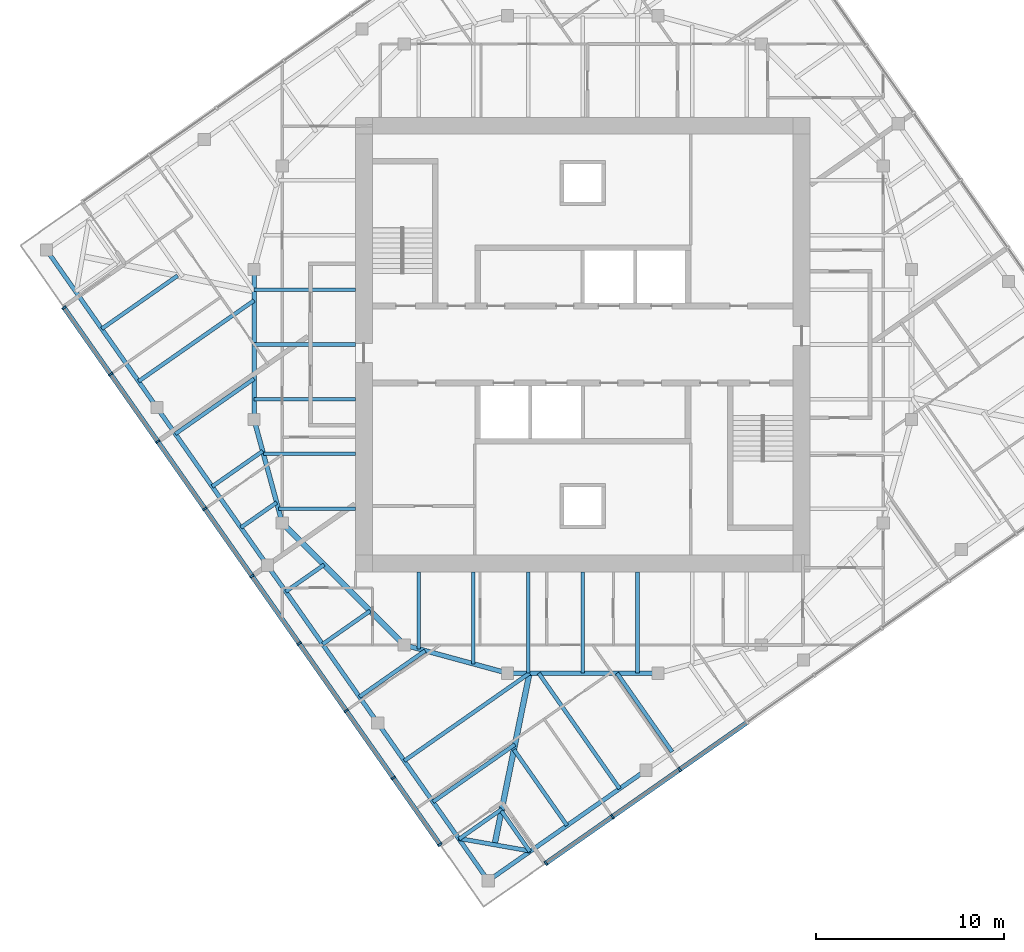
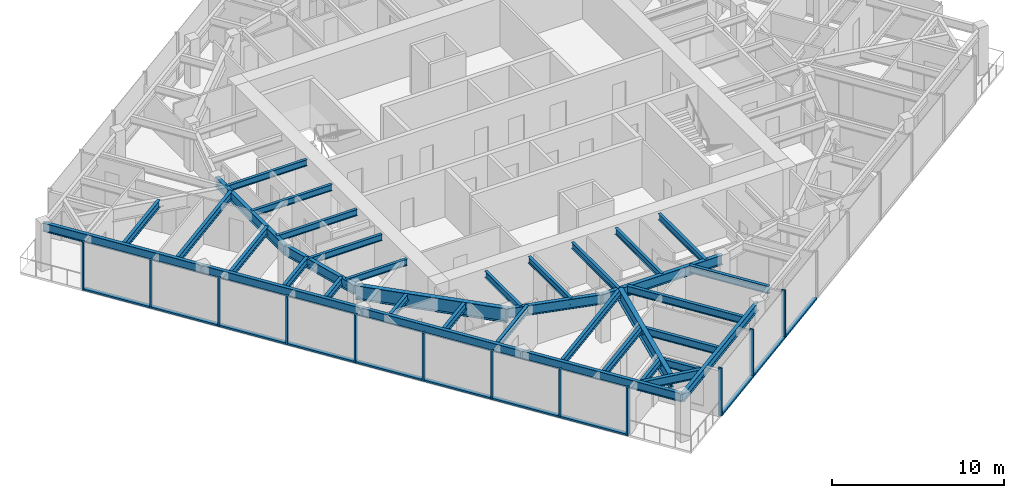
# One storey, part 2 of 12: 37 beams, 23 members, 2 elements without a shape of their own.
"""IFC4 building model written with IfcOpenShell, lengths in metres."""

from ifc_helpers import new_model, si_unit, direction, frame, origin, origin_2d, place, context, subcontext, project, spatial, rectangle, i_section, extrude, material, material_profile, profile_set, type_object, element, aggregate, save


model = new_model("IFC4")

# Units and contexts
model_context = context("Model", 3, precision=1e-05, world=origin(), true_north=direction((0.0, 1.0)))
body_context = subcontext(model_context, "Body", "Model", "MODEL_VIEW")
ifc_project = project(units=[si_unit("LENGTHUNIT", "METRE"), si_unit("AREAUNIT", "SQUARE_METRE"), si_unit("VOLUMEUNIT", "CUBIC_METRE"), si_unit("PLANEANGLEUNIT", "RADIAN"), si_unit("MASSUNIT", "GRAM", prefix="KILO")], contexts=[model_context])

# Site, building, storey
site_placement = place(None, origin())
site = spatial("IfcSite", under=ifc_project, at=site_placement, CompositionType="ELEMENT")
building_placement = place(site_placement, origin())
building = spatial("IfcBuilding", under=site, at=building_placement, Name="Torsade Residences", CompositionType="ELEMENT")
storey_placement = place(building_placement, frame((0.0, 0.0, 254.0)))
storey = spatial("IfcBuildingStorey", under=building, at=storey_placement, Name="L70", CompositionType="ELEMENT", Elevation=254.0)

# Beams
ifc_material_1 = material(Name="Steel grade 300", Category="steel")
ifc_material_profile_1 = material_profile(ifc_material_1, i_section(OverallWidth=0.300048828125, OverallDepth=0.89990234375, WebThickness=0.011962890625, FlangeThickness=0.02490234375, at=origin_2d()), Name="900WB175")
ifc_profile_set_1 = profile_set([ifc_material_profile_1], Name="Steel grade 300")
beam_type_1 = type_object("IfcBeamType", Name="CORNER GIRDER 900WB175", PredefinedType="BEAM", material=ifc_profile_set_1)
beam_1_placement = place(storey_placement, frame((35.303466796875, 3.364013671875, 2.800048828125), z_axis=(0.199584461589, 0.979880626756, 0.0), x_axis=(-0.979880626756, 0.199584461589, 0.0)))
element("IfcBeam", 1, at=beam_1_placement, inside=storey, type_object=beam_type_1, Name="Corner girder 01 L71", PredefinedType="BEAM", context=body_context, shape_type="SweptSolid", body=[
    extrude(i_section(OverallWidth=0.300048828125, OverallDepth=0.89990234375, WebThickness=0.011962890625, FlangeThickness=0.02490234375, at=origin_2d()), origin(), (0.0, 0.0, 1.0), 9.323486328125),
])
ifc_material_2 = material(Name="Steel grade 300", Category="steel")
ifc_material_profile_2 = material_profile(ifc_material_2, i_section(OverallWidth=0.22802734375, OverallDepth=0.60205078125, WebThickness=0.010498046875, FlangeThickness=0.014892578125, FilletRadius=0.013916015625, at=origin_2d()), Name="610UB101")
ifc_profile_set_2 = profile_set([ifc_material_profile_2], Name="Steel grade 300")
beam_type_2 = type_object("IfcBeamType", Name="CORNER TRIMMER 610UB101", PredefinedType="BEAM", material=ifc_profile_set_2)
beam_2_placement = place(storey_placement, frame((37.21826171875, 3.0263671875, 2.948974609375), z_axis=(-0.984808196894, 0.173645660267, 0.0), x_axis=(-0.173645660267, -0.984808196894, 0.0)))
element("IfcBeam", 2, at=beam_2_placement, inside=storey, type_object=beam_type_2, Name="Corner trimmer 01 L71", PredefinedType="BEAM", context=body_context, shape_type="SweptSolid", body=[
    extrude(i_section(OverallWidth=0.22802734375, OverallDepth=0.60205078125, WebThickness=0.010498046875, FlangeThickness=0.014892578125, FilletRadius=0.013916015625, at=origin_2d()), origin(), (0.0, 0.0, 1.0), 3.888916015625),
])
ifc_material_3 = material(Name="Steel grade 300", Category="steel")
ifc_material_profile_3 = material_profile(ifc_material_3, i_section(OverallWidth=0.22900390625, OverallDepth=0.612060546875, WebThickness=0.011962890625, FlangeThickness=0.01953125, FilletRadius=0.013916015625, at=origin_2d()), Name="610UB125")
ifc_profile_set_3 = profile_set([ifc_material_profile_3], Name="Steel grade 300")
beam_type_3 = type_object("IfcBeamType", Name="EDGE BEAM 610UB125", PredefinedType="SPANDREL", material=ifc_profile_set_3)
for number, where, z_axis, x_axis, name in (
    (3, (34.9658203125, 1.448974609375, 2.944091796875), (0.819150225126, 0.573579034377, 0.0), (-0.573579034377, 0.819150225126, 0.0), "Edge beam 01 L71"),
    (4, (11.448974609375, 35.0341796875, 2.944091796875), (0.573579034377, -0.819150225126, 0.0), (0.819150225126, 0.573579034377, 0.0), "Edge beam 13 L71"),
    (5, (17.328125, 26.637939453125, 2.944091796875), (0.573579034377, -0.819150225126, 0.0), (0.819150225126, 0.573579034377, 0.0), "Edge beam 14 L71"),
    (6, (23.207275390625, 18.24169921875, 2.944091796875), (0.573579034377, -0.819150225126, 0.0), (0.819150225126, 0.573579034377, 0.0), "Edge beam 15 L71"),
):
    element("IfcBeam", number, at=place(storey_placement, frame(where, z_axis=z_axis, x_axis=x_axis)), inside=storey, type_object=beam_type_3, Name=name, PredefinedType="SPANDREL", context=body_context, shape_type="SweptSolid", body=[
        extrude(i_section(OverallWidth=0.22900390625, OverallDepth=0.612060546875, WebThickness=0.011962890625, FlangeThickness=0.01953125, FilletRadius=0.013916015625, at=origin_2d()), origin(), (0.0, 0.0, 1.0), 10.25),
    ])
beam_3_placement = place(storey_placement, frame((29.08642578125, 9.845458984375, 2.944091796875), z_axis=(0.573583825578, -0.819146870247, 0.0), x_axis=(0.819146870247, 0.573583825578, 0.0)))
element("IfcBeam", 7, at=beam_3_placement, inside=storey, type_object=beam_type_3, Name="Edge beam 16 L71", PredefinedType="SPANDREL", context=body_context, shape_type="SweptSolid", body=[
    extrude(i_section(OverallWidth=0.22900390625, OverallDepth=0.612060546875, WebThickness=0.011962890625, FlangeThickness=0.01953125, FilletRadius=0.013916015625, at=origin_2d()), origin(), (0.0, 0.0, 1.0), 10.250244140625),
])

# Curtain wall, members
ifc_material_4 = material(Name="Aluminium and glass", Category="aluminium")
curtain_wall_type = type_object("IfcCurtainWallType", Name="FRITTED GLASS CURTAIN WALL HIGH ZONE", PredefinedType="NOTDEFINED", material=ifc_material_4)
curtain_wall_1_placement = place(storey_placement, origin())
curtain_wall_1 = element("IfcCurtainWall", 8, at=curtain_wall_1_placement, inside=storey, type_object=curtain_wall_type, Name="Curtain wall L70 face 1", PredefinedType="NOTDEFINED")
ifc_material_5 = material(Name="Aluminium mullion", Category="aluminium")
ifc_material_profile_4 = material_profile(ifc_material_5, rectangle(XDim=0.25, YDim=0.10009765625, at=origin_2d()), Name="HIGH ZONE CURTAIN WALL MULLION 250x100")
ifc_profile_set_4 = profile_set([ifc_material_profile_4], Name="Aluminium mullion")
member_type_1 = type_object("IfcMemberType", Name="HIGH ZONE CURTAIN WALL MULLION 250x100", PredefinedType="MULLION", material=ifc_profile_set_4)
member_1_placement = place(storey_placement, frame((38.03759765625, 2.37939453125, 0.0), z_axis=(0.0, 0.0, 1.0), x_axis=(-0.573576457682, 0.819152029353, 0.0)))
member_1 = element("IfcMember", 9, at=member_1_placement, type_object=member_type_1, Name="Mullion 1", PredefinedType="MULLION", context=body_context, shape_type="SweptSolid", body=[
    extrude(rectangle(XDim=0.25, YDim=0.10009765625, at=origin_2d()), origin(), (0.0, 0.0, 1.0), 3.39990234375),
])
member_2_placement = place(storey_placement, frame((41.58056640625, 4.860107421875, 0.0), z_axis=(0.0, 0.0, 1.0), x_axis=(-0.573576457682, 0.819152029353, 0.0)))
member_2 = element("IfcMember", 10, at=member_2_placement, type_object=member_type_1, Name="Mullion 2", PredefinedType="MULLION", context=body_context, shape_type="SweptSolid", body=[
    extrude(rectangle(XDim=0.25, YDim=0.10009765625, at=origin_2d()), origin(), (0.0, 0.0, 1.0), 3.39990234375),
])
member_3_placement = place(storey_placement, frame((45.164306640625, 7.369384765625, 0.0), z_axis=(0.0, 0.0, 1.0), x_axis=(-0.573576457682, 0.819152029353, 0.0)))
member_3 = element("IfcMember", 11, at=member_3_placement, type_object=member_type_1, Name="Mullion 3", PredefinedType="MULLION", context=body_context, shape_type="SweptSolid", body=[
    extrude(rectangle(XDim=0.25, YDim=0.10009765625, at=origin_2d()), origin(), (0.0, 0.0, 1.0), 3.39990234375),
])

curtain_wall_2_placement = place(storey_placement, origin())
curtain_wall_2 = element("IfcCurtainWall", 12, at=curtain_wall_2_placement, inside=storey, type_object=curtain_wall_type, Name="Curtain wall L70 face 10", PredefinedType="NOTDEFINED")
member_4_placement = place(storey_placement, frame((12.37939453125, 31.96240234375, 0.0), z_axis=(0.0, 0.0, 1.0), x_axis=(0.819152029353, 0.573576457682, 0.0)))
member_4 = element("IfcMember", 13, at=member_4_placement, type_object=member_type_1, Name="Mullion 1", PredefinedType="MULLION", context=body_context, shape_type="SweptSolid", body=[
    extrude(rectangle(XDim=0.25, YDim=0.10009765625, at=origin_2d()), origin(), (0.0, 0.0, 1.0), 3.39990234375),
])
member_5_placement = place(storey_placement, frame((14.860107421875, 28.41943359375, 0.0), z_axis=(0.0, 0.0, 1.0), x_axis=(0.819152029353, 0.573576457682, 0.0)))
member_5 = element("IfcMember", 14, at=member_5_placement, type_object=member_type_1, Name="Mullion 2", PredefinedType="MULLION", context=body_context, shape_type="SweptSolid", body=[
    extrude(rectangle(XDim=0.25, YDim=0.10009765625, at=origin_2d()), origin(), (0.0, 0.0, 1.0), 3.39990234375),
])
member_6_placement = place(storey_placement, frame((17.369384765625, 24.835693359375, 0.0), z_axis=(0.0, 0.0, 1.0), x_axis=(0.819152029353, 0.573576457682, 0.0)))
member_6 = element("IfcMember", 15, at=member_6_placement, type_object=member_type_1, Name="Mullion 3", PredefinedType="MULLION", context=body_context, shape_type="SweptSolid", body=[
    extrude(rectangle(XDim=0.25, YDim=0.10009765625, at=origin_2d()), origin(), (0.0, 0.0, 1.0), 3.39990234375),
])
member_7_placement = place(storey_placement, frame((19.87890625, 21.251953125, 0.0), z_axis=(0.0, 0.0, 1.0), x_axis=(0.819152029353, 0.573576457682, 0.0)))
member_7 = element("IfcMember", 16, at=member_7_placement, type_object=member_type_1, Name="Mullion 4", PredefinedType="MULLION", context=body_context, shape_type="SweptSolid", body=[
    extrude(rectangle(XDim=0.25, YDim=0.10009765625, at=origin_2d()), origin(), (0.0, 0.0, 1.0), 3.39990234375),
])
member_8_placement = place(storey_placement, frame((22.38818359375, 17.668212890625, 0.0), z_axis=(0.0, 0.0, 1.0), x_axis=(0.819152029353, 0.573576457682, 0.0)))
member_8 = element("IfcMember", 17, at=member_8_placement, type_object=member_type_1, Name="Mullion 5", PredefinedType="MULLION", context=body_context, shape_type="SweptSolid", body=[
    extrude(rectangle(XDim=0.25, YDim=0.10009765625, at=origin_2d()), origin(), (0.0, 0.0, 1.0), 3.39990234375),
])
member_9_placement = place(storey_placement, frame((24.897705078125, 14.084228515625, 0.0), z_axis=(0.0, 0.0, 1.0), x_axis=(0.819152029353, 0.573576457682, 0.0)))
member_9 = element("IfcMember", 18, at=member_9_placement, type_object=member_type_1, Name="Mullion 6", PredefinedType="MULLION", context=body_context, shape_type="SweptSolid", body=[
    extrude(rectangle(XDim=0.25, YDim=0.10009765625, at=origin_2d()), origin(), (0.0, 0.0, 1.0), 3.39990234375),
])
member_10_placement = place(storey_placement, frame((27.406982421875, 10.50048828125, 0.0), z_axis=(0.0, 0.0, 1.0), x_axis=(0.819152029353, 0.573576457682, 0.0)))
member_10 = element("IfcMember", 19, at=member_10_placement, type_object=member_type_1, Name="Mullion 7", PredefinedType="MULLION", context=body_context, shape_type="SweptSolid", body=[
    extrude(rectangle(XDim=0.25, YDim=0.10009765625, at=origin_2d()), origin(), (0.0, 0.0, 1.0), 3.39990234375),
])
member_11_placement = place(storey_placement, frame((29.91650390625, 6.916748046875, 0.0), z_axis=(0.0, 0.0, 1.0), x_axis=(0.819152029353, 0.573576457682, 0.0)))
member_11 = element("IfcMember", 20, at=member_11_placement, type_object=member_type_1, Name="Mullion 8", PredefinedType="MULLION", context=body_context, shape_type="SweptSolid", body=[
    extrude(rectangle(XDim=0.25, YDim=0.10009765625, at=origin_2d()), origin(), (0.0, 0.0, 1.0), 3.39990234375),
])
member_12_placement = place(storey_placement, frame((32.397216796875, 3.3740234375, 0.0), z_axis=(0.0, 0.0, 1.0), x_axis=(0.819152029353, 0.573576457682, 0.0)))
member_12 = element("IfcMember", 21, at=member_12_placement, type_object=member_type_1, Name="Mullion 9", PredefinedType="MULLION", context=body_context, shape_type="SweptSolid", body=[
    extrude(rectangle(XDim=0.25, YDim=0.10009765625, at=origin_2d()), origin(), (0.0, 0.0, 1.0), 3.39990234375),
])

# Member
ifc_material_6 = material(Name="Aluminium transom", Category="aluminium")
ifc_material_profile_5 = material_profile(ifc_material_6, rectangle(XDim=0.25, YDim=0.1201171875, at=origin_2d()), Name="HIGH ZONE CURTAIN WALL TRANSOM 250x120")
ifc_profile_set_5 = profile_set([ifc_material_profile_5], Name="Aluminium transom")
member_type_2 = type_object("IfcMemberType", Name="HIGH ZONE CURTAIN WALL TRANSOM 250x120", PredefinedType="USERDEFINED", material=ifc_profile_set_5)
member_13_placement = place(storey_placement, frame((38.07861328125, 2.407958984375, 0.06005859375), z_axis=(0.819155901234, 0.573570928023, 0.0), x_axis=(-0.573570928023, 0.819155901234, 0.0)))
member_13 = element("IfcMember", 22, at=member_13_placement, type_object=member_type_2, Name="Transom 1.1", ObjectType="TRANSOM", PredefinedType="USERDEFINED", context=body_context, shape_type="SweptSolid", body=[
    extrude(rectangle(XDim=0.25, YDim=0.1201171875, at=origin_2d()), origin(), (0.0, 0.0, 1.0), 4.22509765625),
])

member_14_placement = place(storey_placement, frame((41.62158203125, 4.888671875, 0.06005859375), z_axis=(0.819127269283, 0.573611817101, 0.0), x_axis=(-0.573611817101, 0.819127269283, 0.0)))
member_14 = element("IfcMember", 23, at=member_14_placement, type_object=member_type_2, Name="Transom 2.1", ObjectType="TRANSOM", PredefinedType="USERDEFINED", context=body_context, shape_type="SweptSolid", body=[
    extrude(rectangle(XDim=0.25, YDim=0.1201171875, at=origin_2d()), origin(), (0.0, 0.0, 1.0), 4.27490234375),
])

member_15_placement = place(storey_placement, frame((45.205322265625, 7.398193359375, 0.06005859375), z_axis=(0.819154102984, 0.573573496219, 0.0), x_axis=(-0.573573496219, 0.819154102984, 0.0)))
member_15 = element("IfcMember", 24, at=member_15_placement, type_object=member_type_2, Name="Transom 3.1", ObjectType="TRANSOM", PredefinedType="USERDEFINED", context=body_context, shape_type="SweptSolid", body=[
    extrude(rectangle(XDim=0.25, YDim=0.1201171875, at=origin_2d()), origin(), (0.0, 0.0, 1.0), 4.27490234375),
])

aggregate(curtain_wall_1, [member_1, member_2, member_3, member_13, member_14, member_15])

member_16_placement = place(storey_placement, frame((12.407958984375, 31.92138671875, 0.06005859375), z_axis=(0.573570928023, -0.819155901234, 0.0), x_axis=(0.819155901234, 0.573570928023, 0.0)))
member_16 = element("IfcMember", 25, at=member_16_placement, type_object=member_type_2, Name="Transom 1.1", ObjectType="TRANSOM", PredefinedType="USERDEFINED", context=body_context, shape_type="SweptSolid", body=[
    extrude(rectangle(XDim=0.25, YDim=0.1201171875, at=origin_2d()), origin(), (0.0, 0.0, 1.0), 4.22509765625),
])

member_17_placement = place(storey_placement, frame((14.888671875, 28.37841796875, 0.06005859375), z_axis=(0.573611817101, -0.819127269283, 0.0), x_axis=(0.819127269283, 0.573611817101, 0.0)))
member_17 = element("IfcMember", 26, at=member_17_placement, type_object=member_type_2, Name="Transom 2.1", ObjectType="TRANSOM", PredefinedType="USERDEFINED", context=body_context, shape_type="SweptSolid", body=[
    extrude(rectangle(XDim=0.25, YDim=0.1201171875, at=origin_2d()), origin(), (0.0, 0.0, 1.0), 4.27490234375),
])

member_18_placement = place(storey_placement, frame((17.398193359375, 24.794677734375, 0.06005859375), z_axis=(0.573573496219, -0.819154102984, 0.0), x_axis=(0.819154102984, 0.573573496219, 0.0)))
member_18 = element("IfcMember", 27, at=member_18_placement, type_object=member_type_2, Name="Transom 3.1", ObjectType="TRANSOM", PredefinedType="USERDEFINED", context=body_context, shape_type="SweptSolid", body=[
    extrude(rectangle(XDim=0.25, YDim=0.1201171875, at=origin_2d()), origin(), (0.0, 0.0, 1.0), 4.27490234375),
])

member_19_placement = place(storey_placement, frame((19.907470703125, 21.2109375, 0.06005859375), z_axis=(0.57358498433, -0.819146058863, 0.0), x_axis=(0.819146058863, 0.57358498433, 0.0)))
member_19 = element("IfcMember", 28, at=member_19_placement, type_object=member_type_2, Name="Transom 4.1", ObjectType="TRANSOM", PredefinedType="USERDEFINED", context=body_context, shape_type="SweptSolid", body=[
    extrude(rectangle(XDim=0.25, YDim=0.1201171875, at=origin_2d()), origin(), (0.0, 0.0, 1.0), 4.275146484375),
])

member_20_placement = place(storey_placement, frame((22.4169921875, 17.627197265625, 0.06005859375), z_axis=(0.573546663483, -0.81917289067, 0.0), x_axis=(0.81917289067, 0.573546663483, 0.0)))
member_20 = element("IfcMember", 29, at=member_20_placement, type_object=member_type_2, Name="Transom 5.1", ObjectType="TRANSOM", PredefinedType="USERDEFINED", context=body_context, shape_type="SweptSolid", body=[
    extrude(rectangle(XDim=0.25, YDim=0.1201171875, at=origin_2d()), origin(), (0.0, 0.0, 1.0), 4.27490234375),
])

member_21_placement = place(storey_placement, frame((24.92626953125, 14.04345703125, 0.06005859375), z_axis=(0.57358498433, -0.819146058863, 0.0), x_axis=(0.819146058863, 0.57358498433, 0.0)))
member_21 = element("IfcMember", 30, at=member_21_placement, type_object=member_type_2, Name="Transom 6.1", ObjectType="TRANSOM", PredefinedType="USERDEFINED", context=body_context, shape_type="SweptSolid", body=[
    extrude(rectangle(XDim=0.25, YDim=0.1201171875, at=origin_2d()), origin(), (0.0, 0.0, 1.0), 4.275146484375),
])

member_22_placement = place(storey_placement, frame((27.435791015625, 10.45947265625, 0.06005859375), z_axis=(0.573573496219, -0.819154102984, 0.0), x_axis=(0.819154102984, 0.573573496219, 0.0)))
member_22 = element("IfcMember", 31, at=member_22_placement, type_object=member_type_2, Name="Transom 7.1", ObjectType="TRANSOM", PredefinedType="USERDEFINED", context=body_context, shape_type="SweptSolid", body=[
    extrude(rectangle(XDim=0.25, YDim=0.1201171875, at=origin_2d()), origin(), (0.0, 0.0, 1.0), 4.27490234375),
])

member_23_placement = place(storey_placement, frame((29.945068359375, 6.875732421875, 0.06005859375), z_axis=(0.573570928023, -0.819155901234, 0.0), x_axis=(0.819155901234, 0.573570928023, 0.0)))
member_23 = element("IfcMember", 32, at=member_23_placement, type_object=member_type_2, Name="Transom 8.1", ObjectType="TRANSOM", PredefinedType="USERDEFINED", context=body_context, shape_type="SweptSolid", body=[
    extrude(rectangle(XDim=0.25, YDim=0.1201171875, at=origin_2d()), origin(), (0.0, 0.0, 1.0), 4.22509765625),
])

aggregate(curtain_wall_2, [member_4, member_5, member_6, member_7, member_8, member_9, member_10, member_11, member_12, member_16, member_17, member_18, member_19, member_20, member_21, member_22, member_23])

# Beams
ifc_material_7 = material(Name="Steel grade 300", Category="steel")
ifc_material_profile_6 = material_profile(ifc_material_7, i_section(OverallWidth=0.18994140625, OverallDepth=0.4541015625, WebThickness=0.008544921875, FlangeThickness=0.0126953125, FilletRadius=0.011474609375, at=origin_2d()), Name="460UB67.1")
ifc_profile_set_6 = profile_set([ifc_material_profile_6], Name="Steel grade 300")
beam_type_4 = type_object("IfcBeamType", Name="INNER FLOOR BEAM 460UB67.1", PredefinedType="JOIST", material=ifc_profile_set_6)
for number, where, z_axis, x_axis, name in (
    (33, (42.91259765625, 17.89990234375, 3.02294921875), (0.0, -1.0, 0.0), (1.0, 0.0, 0.0), "Inner floor beam IS03 L71"),
    (34, (40.0, 17.89990234375, 3.02294921875), (0.0, -1.0, 0.0), (1.0, 0.0, 0.0), "Inner floor beam IS04 L71"),
    (35, (37.08740234375, 17.89990234375, 3.02294921875), (0.0, -1.0, 0.0), (1.0, 0.0, 0.0), "Inner floor beam IS05 L71"),
):
    element("IfcBeam", number, at=place(storey_placement, frame(where, z_axis=z_axis, x_axis=x_axis)), inside=storey, type_object=beam_type_4, Name=name, PredefinedType="JOIST", context=body_context, shape_type="SweptSolid", body=[
        extrude(i_section(OverallWidth=0.18994140625, OverallDepth=0.4541015625, WebThickness=0.008544921875, FlangeThickness=0.0126953125, FilletRadius=0.011474609375, at=origin_2d()), origin(), (0.0, 0.0, 1.0), 5.39990234375),
    ])
beam_4_placement = place(storey_placement, frame((34.175048828125, 17.89990234375, 3.02294921875), z_axis=(0.0, -1.0, 0.0), x_axis=(1.0, 0.0, 0.0)))
element("IfcBeam", 36, at=beam_4_placement, inside=storey, type_object=beam_type_4, Name="Inner floor beam IS06 L71", PredefinedType="JOIST", context=body_context, shape_type="SweptSolid", body=[
    extrude(i_section(OverallWidth=0.18994140625, OverallDepth=0.4541015625, WebThickness=0.008544921875, FlangeThickness=0.0126953125, FilletRadius=0.011474609375, at=origin_2d()), origin(), (0.0, 0.0, 1.0), 4.902099609375),
])
beam_5_placement = place(storey_placement, frame((31.262451171875, 17.89990234375, 3.02294921875), z_axis=(0.0, -1.0, 0.0), x_axis=(1.0, 0.0, 0.0)))
element("IfcBeam", 37, at=beam_5_placement, inside=storey, type_object=beam_type_4, Name="Inner floor beam IS07 L71", PredefinedType="JOIST", context=body_context, shape_type="SweptSolid", body=[
    extrude(i_section(OverallWidth=0.18994140625, OverallDepth=0.4541015625, WebThickness=0.008544921875, FlangeThickness=0.0126953125, FilletRadius=0.011474609375, at=origin_2d()), origin(), (0.0, 0.0, 1.0), 4.10791015625),
])
for number, where, z_axis, x_axis, name in (
    (38, (27.89990234375, 32.91259765625, 3.02294921875), (-1.0, 0.0, 0.0), (0.0, -1.0, 0.0), "Inner floor beam IW03 L71"),
    (39, (27.89990234375, 30.0, 3.02294921875), (-1.0, 0.0, 0.0), (0.0, -1.0, 0.0), "Inner floor beam IW04 L71"),
    (40, (27.89990234375, 27.08740234375, 3.02294921875), (-1.0, 0.0, 0.0), (0.0, -1.0, 0.0), "Inner floor beam IW05 L71"),
):
    element("IfcBeam", number, at=place(storey_placement, frame(where, z_axis=z_axis, x_axis=x_axis)), inside=storey, type_object=beam_type_4, Name=name, PredefinedType="JOIST", context=body_context, shape_type="SweptSolid", body=[
        extrude(i_section(OverallWidth=0.18994140625, OverallDepth=0.4541015625, WebThickness=0.008544921875, FlangeThickness=0.0126953125, FilletRadius=0.011474609375, at=origin_2d()), origin(), (0.0, 0.0, 1.0), 5.39990234375),
    ])
beam_6_placement = place(storey_placement, frame((27.89990234375, 24.175048828125, 3.02294921875), z_axis=(-1.0, 0.0, 0.0), x_axis=(0.0, -1.0, 0.0)))
element("IfcBeam", 41, at=beam_6_placement, inside=storey, type_object=beam_type_4, Name="Inner floor beam IW06 L71", PredefinedType="JOIST", context=body_context, shape_type="SweptSolid", body=[
    extrude(i_section(OverallWidth=0.18994140625, OverallDepth=0.4541015625, WebThickness=0.008544921875, FlangeThickness=0.0126953125, FilletRadius=0.011474609375, at=origin_2d()), origin(), (0.0, 0.0, 1.0), 4.902099609375),
])
beam_7_placement = place(storey_placement, frame((27.89990234375, 21.262451171875, 3.02294921875), z_axis=(-1.0, 0.0, 0.0), x_axis=(0.0, -1.0, 0.0)))
element("IfcBeam", 42, at=beam_7_placement, inside=storey, type_object=beam_type_4, Name="Inner floor beam IW07 L71", PredefinedType="JOIST", context=body_context, shape_type="SweptSolid", body=[
    extrude(i_section(OverallWidth=0.18994140625, OverallDepth=0.4541015625, WebThickness=0.008544921875, FlangeThickness=0.0126953125, FilletRadius=0.011474609375, at=origin_2d()), origin(), (0.0, 0.0, 1.0), 4.10791015625),
])
ifc_material_8 = material(Name="Steel grade 300", Category="steel")
ifc_material_profile_7 = material_profile(ifc_material_8, i_section(OverallWidth=0.300048828125, OverallDepth=1.0, WebThickness=0.01611328125, FlangeThickness=0.028076171875, at=origin_2d()), Name="1000WB215")
ifc_profile_set_7 = profile_set([ifc_material_profile_7], Name="Steel grade 300")
beam_type_5 = type_object("IfcBeamType", Name="RING CORNER GIRDER 1000WB215", PredefinedType="BEAM", material=ifc_profile_set_7)
beam_8_placement = place(storey_placement, frame((24.0, 20.5, 2.75), z_axis=(0.707106781187, -0.707106781187, 0.0), x_axis=(0.707106781187, 0.707106781187, 0.0)))
element("IfcBeam", 43, at=beam_8_placement, inside=storey, type_object=beam_type_5, Name="Ring girder IR11 L71", PredefinedType="BEAM", context=body_context, shape_type="SweptSolid", body=[
    extrude(i_section(OverallWidth=0.300048828125, OverallDepth=1.0, WebThickness=0.01611328125, FlangeThickness=0.028076171875, at=origin_2d()), origin(), (0.0, 0.0, 1.0), 9.1923828125),
])
ifc_material_9 = material(Name="Steel grade 300", Category="steel")
ifc_material_profile_8 = material_profile(ifc_material_9, i_section(OverallWidth=0.25, OverallDepth=0.699951171875, WebThickness=0.010009765625, FlangeThickness=0.02001953125, at=origin_2d()), Name="700WB130")
ifc_profile_set_8 = profile_set([ifc_material_profile_8], Name="Steel grade 300")
beam_type_6 = type_object("IfcBeamType", Name="RING GIRDER 700WB130", PredefinedType="BEAM", material=ifc_profile_set_8)
beam_9_placement = place(storey_placement, frame((22.5, 34.0, 2.89990234375), z_axis=(0.0, -1.0, 0.0), x_axis=(1.0, 0.0, 0.0)))
element("IfcBeam", 44, at=beam_9_placement, inside=storey, type_object=beam_type_6, Name="Ring girder IR09 L71", PredefinedType="BEAM", context=body_context, shape_type="SweptSolid", body=[
    extrude(i_section(OverallWidth=0.25, OverallDepth=0.699951171875, WebThickness=0.010009765625, FlangeThickness=0.02001953125, at=origin_2d()), origin(), (0.0, 0.0, 1.0), 8.0),
])
for number, where, z_axis, x_axis, name in (
    (45, (22.5, 26.0, 2.89990234375), (0.263117405792, -0.964763821238, 0.0), (0.964763821238, 0.263117405792, 0.0), "Ring girder IR10 L71"),
    (46, (30.5, 14.0, 2.89990234375), (0.964763821238, -0.263117405792, 0.0), (0.263117405792, 0.964763821238, 0.0), "Ring girder IR12 L71"),
):
    element("IfcBeam", number, at=place(storey_placement, frame(where, z_axis=z_axis, x_axis=x_axis)), inside=storey, type_object=beam_type_6, Name=name, PredefinedType="BEAM", context=body_context, shape_type="SweptSolid", body=[
        extrude(i_section(OverallWidth=0.25, OverallDepth=0.699951171875, WebThickness=0.010009765625, FlangeThickness=0.02001953125, at=origin_2d()), origin(), (0.0, 0.0, 1.0), 5.700927734375),
    ])
beam_10_placement = place(storey_placement, frame((36.0, 12.5, 2.89990234375), z_axis=(1.0, 0.0, 0.0), x_axis=(0.0, 1.0, 0.0)))
element("IfcBeam", 47, at=beam_10_placement, inside=storey, type_object=beam_type_6, Name="Ring girder IR13 L71", PredefinedType="BEAM", context=body_context, shape_type="SweptSolid", body=[
    extrude(i_section(OverallWidth=0.25, OverallDepth=0.699951171875, WebThickness=0.010009765625, FlangeThickness=0.02001953125, at=origin_2d()), origin(), (0.0, 0.0, 1.0), 8.0),
])
ifc_material_10 = material(Name="Steel grade 300", Category="steel")
ifc_material_profile_9 = material_profile(ifc_material_10, i_section(OverallWidth=0.208984375, OverallDepth=0.532958984375, WebThickness=0.01025390625, FlangeThickness=0.015625, FilletRadius=0.013916015625, at=origin_2d()), Name="530UB92.4")
ifc_profile_set_9 = profile_set([ifc_material_profile_9], Name="Steel grade 300")
beam_type_7 = type_object("IfcBeamType", Name="SECONDARY BEAM 530UB92.4", PredefinedType="JOIST", material=ifc_profile_set_9)
beam_11_placement = place(storey_placement, frame((37.184326171875, 3.00244140625, 2.9833984375), z_axis=(-0.573592685254, 0.819140666445, 0.0), x_axis=(-0.819140666445, -0.573592685254, 0.0)))
element("IfcBeam", 48, at=beam_11_placement, inside=storey, type_object=beam_type_7, Name="Floor beam FS01 L71", PredefinedType="JOIST", context=body_context, shape_type="SweptSolid", body=[
    extrude(i_section(OverallWidth=0.208984375, OverallDepth=0.532958984375, WebThickness=0.01025390625, FlangeThickness=0.015625, FilletRadius=0.013916015625, at=origin_2d()), origin(), (0.0, 0.0, 1.0), 2.639892578125),
])
beam_12_placement = place(storey_placement, frame((39.163818359375, 4.388671875, 2.9833984375), z_axis=(-0.573575295634, 0.819152843027, 0.0), x_axis=(-0.819152843027, -0.573575295634, 0.0)))
element("IfcBeam", 49, at=beam_12_placement, inside=storey, type_object=beam_type_7, Name="Floor beam FS02 L71", PredefinedType="JOIST", context=body_context, shape_type="SweptSolid", body=[
    extrude(i_section(OverallWidth=0.208984375, OverallDepth=0.532958984375, WebThickness=0.01025390625, FlangeThickness=0.015625, FilletRadius=0.013916015625, at=origin_2d()), origin(), (0.0, 0.0, 1.0), 4.931884765625),
])
beam_13_placement = place(storey_placement, frame((41.962646484375, 6.348388671875, 2.9833984375), z_axis=(-0.573573614851, 0.819154019917, 0.0), x_axis=(-0.819154019917, -0.573573614851, 0.0)))
element("IfcBeam", 50, at=beam_13_placement, inside=storey, type_object=beam_type_7, Name="Floor beam FS03 L71", PredefinedType="JOIST", context=body_context, shape_type="SweptSolid", body=[
    extrude(i_section(OverallWidth=0.208984375, OverallDepth=0.532958984375, WebThickness=0.01025390625, FlangeThickness=0.015625, FilletRadius=0.013916015625, at=origin_2d()), origin(), (0.0, 0.0, 1.0), 7.509765625),
])
beam_14_placement = place(storey_placement, frame((44.761474609375, 8.30810546875, 2.9833984375), z_axis=(-0.573590411882, 0.819142258339, 0.0), x_axis=(-0.819142258339, -0.573590411882, 0.0)))
element("IfcBeam", 51, at=beam_14_placement, inside=storey, type_object=beam_type_7, Name="Floor beam FS04 L71", PredefinedType="JOIST", context=body_context, shape_type="SweptSolid", body=[
    extrude(i_section(OverallWidth=0.208984375, OverallDepth=0.532958984375, WebThickness=0.01025390625, FlangeThickness=0.015625, FilletRadius=0.013916015625, at=origin_2d()), origin(), (0.0, 0.0, 1.0), 5.117431640625),
])
beam_15_placement = place(storey_placement, frame((14.388671875, 30.836181640625, 2.9833984375), z_axis=(0.819152843027, 0.573575295634, 0.0), x_axis=(-0.573575295634, 0.819152843027, 0.0)))
element("IfcBeam", 52, at=beam_15_placement, inside=storey, type_object=beam_type_7, Name="Floor beam FW02 L71", PredefinedType="JOIST", context=body_context, shape_type="SweptSolid", body=[
    extrude(i_section(OverallWidth=0.208984375, OverallDepth=0.532958984375, WebThickness=0.01025390625, FlangeThickness=0.015625, FilletRadius=0.013916015625, at=origin_2d()), origin(), (0.0, 0.0, 1.0), 4.931884765625),
])
beam_16_placement = place(storey_placement, frame((16.348388671875, 28.037353515625, 2.9833984375), z_axis=(0.819154019917, 0.573573614851, 0.0), x_axis=(-0.573573614851, 0.819154019917, 0.0)))
element("IfcBeam", 53, at=beam_16_placement, inside=storey, type_object=beam_type_7, Name="Floor beam FW03 L71", PredefinedType="JOIST", context=body_context, shape_type="SweptSolid", body=[
    extrude(i_section(OverallWidth=0.208984375, OverallDepth=0.532958984375, WebThickness=0.01025390625, FlangeThickness=0.015625, FilletRadius=0.013916015625, at=origin_2d()), origin(), (0.0, 0.0, 1.0), 7.509765625),
])
beam_17_placement = place(storey_placement, frame((18.30810546875, 25.238525390625, 2.9833984375), z_axis=(0.819142258339, 0.573590411882, 0.0), x_axis=(-0.573590411882, 0.819142258339, 0.0)))
element("IfcBeam", 54, at=beam_17_placement, inside=storey, type_object=beam_type_7, Name="Floor beam FW04 L71", PredefinedType="JOIST", context=body_context, shape_type="SweptSolid", body=[
    extrude(i_section(OverallWidth=0.208984375, OverallDepth=0.532958984375, WebThickness=0.01025390625, FlangeThickness=0.015625, FilletRadius=0.013916015625, at=origin_2d()), origin(), (0.0, 0.0, 1.0), 5.117431640625),
])
beam_18_placement = place(storey_placement, frame((20.267822265625, 22.43994140625, 2.9833984375), z_axis=(0.819169032504, 0.573552173902, 0.0), x_axis=(-0.573552173902, 0.819169032504, 0.0)))
element("IfcBeam", 55, at=beam_18_placement, inside=storey, type_object=beam_type_7, Name="Floor beam FW05 L71", PredefinedType="JOIST", context=body_context, shape_type="SweptSolid", body=[
    extrude(i_section(OverallWidth=0.208984375, OverallDepth=0.532958984375, WebThickness=0.01025390625, FlangeThickness=0.015625, FilletRadius=0.013916015625, at=origin_2d()), origin(), (0.0, 0.0, 1.0), 3.283203125),
])
beam_19_placement = place(storey_placement, frame((21.79736328125, 20.25537109375, 2.9833984375), z_axis=(0.819157953557, 0.573567996949, 0.0), x_axis=(-0.573567996949, 0.819157953557, 0.0)))
element("IfcBeam", 56, at=beam_19_placement, inside=storey, type_object=beam_type_7, Name="Floor beam FW06 L71", PredefinedType="JOIST", context=body_context, shape_type="SweptSolid", body=[
    extrude(i_section(OverallWidth=0.208984375, OverallDepth=0.532958984375, WebThickness=0.01025390625, FlangeThickness=0.015625, FilletRadius=0.013916015625, at=origin_2d()), origin(), (0.0, 0.0, 1.0), 2.326171875),
])
beam_20_placement = place(storey_placement, frame((24.187255859375, 16.84228515625, 2.9833984375), z_axis=(0.819172078752, 0.573547823109, 0.0), x_axis=(-0.573547823109, 0.819172078752, 0.0)))
element("IfcBeam", 57, at=beam_20_placement, inside=storey, type_object=beam_type_7, Name="Floor beam FW07 L71", PredefinedType="JOIST", context=body_context, shape_type="SweptSolid", body=[
    extrude(i_section(OverallWidth=0.208984375, OverallDepth=0.532958984375, WebThickness=0.01025390625, FlangeThickness=0.015625, FilletRadius=0.013916015625, at=origin_2d()), origin(), (0.0, 0.0, 1.0), 2.491943359375),
])
beam_21_placement = place(storey_placement, frame((26.14697265625, 14.04345703125, 2.9833984375), z_axis=(0.819135534955, 0.573600013401, 0.0), x_axis=(-0.573600013401, 0.819135534955, 0.0)))
element("IfcBeam", 58, at=beam_21_placement, inside=storey, type_object=beam_type_7, Name="Floor beam FW08 L71", PredefinedType="JOIST", context=body_context, shape_type="SweptSolid", body=[
    extrude(i_section(OverallWidth=0.208984375, OverallDepth=0.532958984375, WebThickness=0.01025390625, FlangeThickness=0.015625, FilletRadius=0.013916015625, at=origin_2d()), origin(), (0.0, 0.0, 1.0), 3.09423828125),
])
beam_22_placement = place(storey_placement, frame((28.106689453125, 11.244873046875, 2.9833984375), z_axis=(0.819148759439, 0.573581127575, 0.0), x_axis=(-0.573581127575, 0.819148759439, 0.0)))
element("IfcBeam", 59, at=beam_22_placement, inside=storey, type_object=beam_type_7, Name="Floor beam FW09 L71", PredefinedType="JOIST", context=body_context, shape_type="SweptSolid", body=[
    extrude(i_section(OverallWidth=0.208984375, OverallDepth=0.532958984375, WebThickness=0.01025390625, FlangeThickness=0.015625, FilletRadius=0.013916015625, at=origin_2d()), origin(), (0.0, 0.0, 1.0), 4.276123046875),
])
beam_23_placement = place(storey_placement, frame((30.49658203125, 7.83154296875, 2.9833984375), z_axis=(0.819151588523, 0.573577087251, 0.0), x_axis=(-0.573577087251, 0.819151588523, 0.0)))
element("IfcBeam", 60, at=beam_23_placement, inside=storey, type_object=beam_type_7, Name="Floor beam FW10 L71", PredefinedType="JOIST", context=body_context, shape_type="SweptSolid", body=[
    extrude(i_section(OverallWidth=0.208984375, OverallDepth=0.532958984375, WebThickness=0.01025390625, FlangeThickness=0.015625, FilletRadius=0.013916015625, at=origin_2d()), origin(), (0.0, 0.0, 1.0), 8.13916015625),
])
beam_24_placement = place(storey_placement, frame((32.026123046875, 5.647216796875, 2.9833984375), z_axis=(0.819137197966, 0.573597638513, 0.0), x_axis=(-0.573597638513, 0.819137197966, 0.0)))
element("IfcBeam", 61, at=beam_24_placement, inside=storey, type_object=beam_type_7, Name="Floor beam FW11 L71", PredefinedType="JOIST", context=body_context, shape_type="SweptSolid", body=[
    extrude(i_section(OverallWidth=0.208984375, OverallDepth=0.532958984375, WebThickness=0.01025390625, FlangeThickness=0.015625, FilletRadius=0.013916015625, at=origin_2d()), origin(), (0.0, 0.0, 1.0), 5.328369140625),
])
beam_25_placement = place(storey_placement, frame((33.412353515625, 3.667724609375, 2.9833984375), z_axis=(0.819190669238, 0.573521270253, 0.0), x_axis=(-0.573521270253, 0.819190669238, 0.0)))
element("IfcBeam", 62, at=beam_25_placement, inside=storey, type_object=beam_type_7, Name="Floor beam FW12 L71", PredefinedType="JOIST", context=body_context, shape_type="SweptSolid", body=[
    extrude(i_section(OverallWidth=0.208984375, OverallDepth=0.532958984375, WebThickness=0.01025390625, FlangeThickness=0.015625, FilletRadius=0.013916015625, at=origin_2d()), origin(), (0.0, 0.0, 1.0), 2.780517578125),
])

save(model, "model.ifc")
